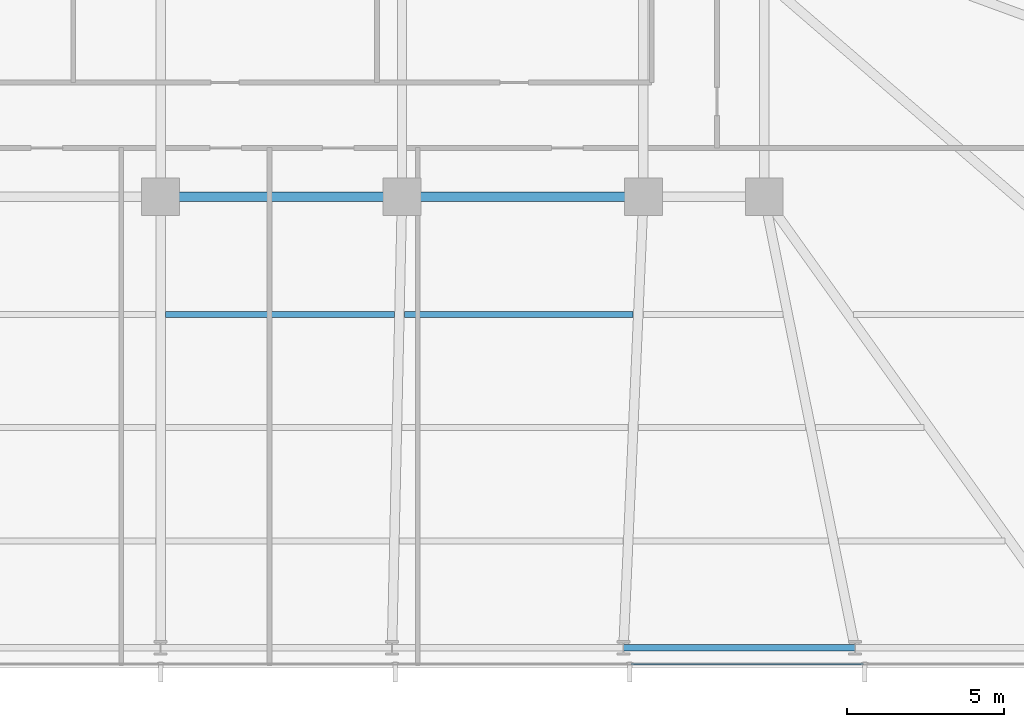
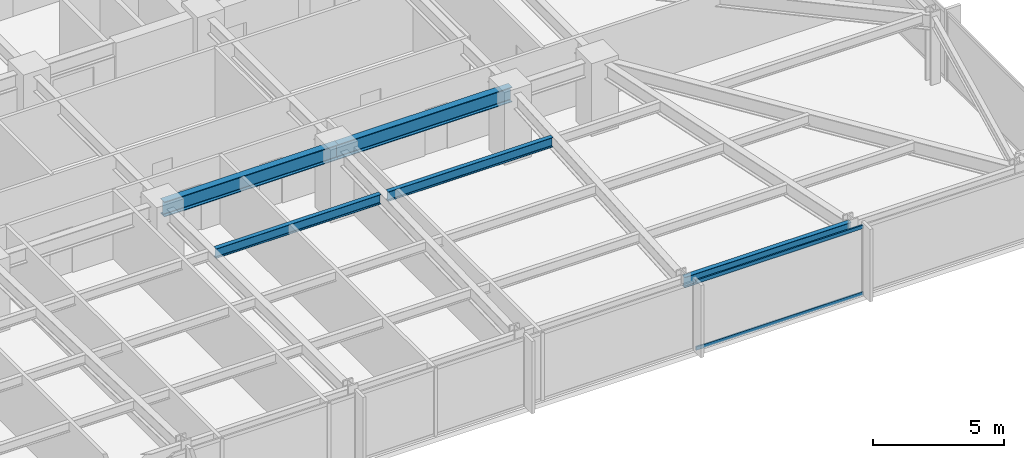
# One storey, part 13 of 32: 5 beams, 2 members, 1 element without a shape of its own.
"""IFC4 building model written with IfcOpenShell, lengths in metres."""

from ifc_helpers import new_model, si_unit, direction, frame, origin, origin_2d, place, context, subcontext, project, spatial, hollow_rectangle, i_section, extrude, material, material_profile, profile_set, type_object, element, aggregate, save


model = new_model("IFC4")

# Units and contexts
model_context = context("Model", 3, precision=1e-05, world=origin(), true_north=direction((0.0, 1.0)))
body_context = subcontext(model_context, "Body", "Model", "MODEL_VIEW")
ifc_project = project(units=[si_unit("LENGTHUNIT", "METRE"), si_unit("AREAUNIT", "SQUARE_METRE"), si_unit("VOLUMEUNIT", "CUBIC_METRE"), si_unit("PLANEANGLEUNIT", "RADIAN"), si_unit("MASSUNIT", "GRAM", prefix="KILO")], contexts=[model_context])

# Site, building, storey
site_placement = place(None, origin())
site = spatial("IfcSite", under=ifc_project, at=site_placement, CompositionType="ELEMENT")
building_placement = place(site_placement, origin())
building = spatial("IfcBuilding", under=site, at=building_placement, Name="Yelkora Congress Tower", CompositionType="ELEMENT")
storey_placement = place(building_placement, frame((0.0, 0.0, 57.60009765625)))
storey = spatial("IfcBuildingStorey", under=building, at=storey_placement, Name="L14", CompositionType="ELEMENT", Elevation=57.60009765625)

# Beams
ifc_material_1 = material(Name="Steel S355J2", Category="steel")
ifc_material_profile_1 = material_profile(ifc_material_1, i_section(OverallWidth=0.300048828125, OverallDepth=0.699951171875, WebThickness=0.01708984375, FlangeThickness=0.031982421875, FilletRadius=0.027099609375, at=origin_2d()), Name="HEB 700")
ifc_profile_set_1 = profile_set([ifc_material_profile_1], Name="Steel S355J2")
beam_type_1 = type_object("IfcBeamType", Name="BM-GIRD-HEB700", PredefinedType="BEAM", material=ifc_profile_set_1)
beam_1_placement = place(storey_placement, frame((38.39990234375, 25.199951171875, 2.829833984375), z_axis=(1.0, 0.0, 0.0), x_axis=(0.0, 1.0, 0.0)))
element("IfcBeam", 1, at=beam_1_placement, inside=storey, type_object=beam_type_1, Name="L14 Spine Grid D Girder 4", PredefinedType="BEAM", context=body_context, shape_type="SweptSolid", body=[
    extrude(i_section(OverallWidth=0.300048828125, OverallDepth=0.699951171875, WebThickness=0.01708984375, FlangeThickness=0.031982421875, FilletRadius=0.027099609375, at=origin_2d()), origin(), (0.0, 0.0, 1.0), 7.68017578125),
])
beam_2_placement = place(storey_placement, frame((46.080078125, 25.199951171875, 2.829833984375), z_axis=(1.0, 0.0, 0.0), x_axis=(0.0, 1.0, 0.0)))
element("IfcBeam", 2, at=beam_2_placement, inside=storey, type_object=beam_type_1, Name="L14 Spine Grid D Girder 5", PredefinedType="BEAM", context=body_context, shape_type="SweptSolid", body=[
    extrude(i_section(OverallWidth=0.300048828125, OverallDepth=0.699951171875, WebThickness=0.01708984375, FlangeThickness=0.031982421875, FilletRadius=0.027099609375, at=origin_2d()), origin(), (0.0, 0.0, 1.0), 7.679931640625),
])
ifc_material_profile_2 = material_profile(ifc_material_1, i_section(OverallWidth=0.18994140625, OverallDepth=0.449951171875, WebThickness=0.009521484375, FlangeThickness=0.0146484375, FilletRadius=0.02099609375, at=origin_2d()), Name="IPE 450")
ifc_profile_set_2 = profile_set([ifc_material_profile_2], Name="Steel S355J2")
beam_type_2 = type_object("IfcBeamType", Name="BM-JOIST-IPE450", PredefinedType="JOIST", material=ifc_profile_set_2)
beam_3_placement = place(storey_placement, frame((38.56005859375, 21.449951171875, 2.954833984375), z_axis=(1.0, 0.0, 0.0), x_axis=(0.0, 1.0, 0.0)))
element("IfcBeam", 3, at=beam_3_placement, inside=storey, type_object=beam_type_2, Name="L14 Composite Floor Joist 20", PredefinedType="JOIST", context=body_context, shape_type="SweptSolid", body=[
    extrude(i_section(OverallWidth=0.18994140625, OverallDepth=0.449951171875, WebThickness=0.009521484375, FlangeThickness=0.0146484375, FilletRadius=0.02099609375, at=origin_2d()), origin(), (0.0, 0.0, 1.0), 7.27685546875),
])
beam_4_placement = place(storey_placement, frame((46.156982421875, 21.449951171875, 2.954833984375), z_axis=(1.0, 0.0, 0.0), x_axis=(0.0, 1.0, 0.0)))
element("IfcBeam", 4, at=beam_4_placement, inside=storey, type_object=beam_type_2, Name="L14 Composite Floor Joist 21", PredefinedType="JOIST", context=body_context, shape_type="SweptSolid", body=[
    extrude(i_section(OverallWidth=0.18994140625, OverallDepth=0.449951171875, WebThickness=0.009521484375, FlangeThickness=0.0146484375, FilletRadius=0.02099609375, at=origin_2d()), origin(), (0.0, 0.0, 1.0), 7.277099609375),
])
ifc_material_profile_3 = material_profile(ifc_material_1, i_section(OverallWidth=0.199951171875, OverallDepth=0.5, WebThickness=0.01025390625, FlangeThickness=0.01611328125, FilletRadius=0.02099609375, at=origin_2d()), Name="IPE 500")
ifc_profile_set_3 = profile_set([ifc_material_profile_3], Name="Steel S355J2")
beam_type_3 = type_object("IfcBeamType", Name="BM-SPAN-IPE500", PredefinedType="SPANDREL", material=ifc_profile_set_3)
beam_5_placement = place(storey_placement, frame((53.125, 10.85009765625, 2.929931640625), z_axis=(1.0, 0.0, 0.0), x_axis=(0.0, 1.0, 0.0)))
element("IfcBeam", 5, at=beam_5_placement, inside=storey, type_object=beam_type_3, Name="L14 Perimeter Beam 8", PredefinedType="SPANDREL", context=body_context, shape_type="SweptSolid", body=[
    extrude(i_section(OverallWidth=0.199951171875, OverallDepth=0.5, WebThickness=0.01025390625, FlangeThickness=0.01611328125, FilletRadius=0.02099609375, at=origin_2d()), origin(), (0.0, 0.0, 1.0), 7.362548828125),
])

# Curtain wall, members
ifc_material_2 = material(Name="Anodised aluminium and insulated glass", Category="aluminium")
curtain_wall_type = type_object("IfcCurtainWallType", Name="CW-SYS-B1", PredefinedType="NOTDEFINED", material=ifc_material_2)
curtain_wall_placement = place(storey_placement, origin())
curtain_wall = element("IfcCurtainWall", 6, at=curtain_wall_placement, inside=storey, type_object=curtain_wall_type, Name="L14 Unitised Curtain Wall 20", PredefinedType="NOTDEFINED")
ifc_material_3 = material(Name="Anodised aluminium 6063-T6", Category="aluminium")
ifc_material_profile_4 = material_profile(ifc_material_3, hollow_rectangle(XDim=0.06494140625, YDim=0.159912109375, WallThickness=0.00390625, at=origin_2d()), Name="ALU 65x160x4")
ifc_profile_set_4 = profile_set([ifc_material_profile_4], Name="Anodised aluminium 6063-T6")
member_type = type_object("IfcMemberType", Name="MEM-TR-B1", PredefinedType="USERDEFINED", material=ifc_profile_set_4)
member_1_placement = place(storey_placement, frame((60.757568359375, 10.340087890625, 0.032470703125), z_axis=(-1.0, 0.0, 0.0), x_axis=(0.0, -1.0, 0.0)))
member_1 = element("IfcMember", 7, at=member_1_placement, type_object=member_type, Name="CW-B1 transom 2.1", ObjectType="TRANSOM", PredefinedType="USERDEFINED", context=body_context, shape_type="SweptSolid", body=[
    extrude(hollow_rectangle(XDim=0.06494140625, YDim=0.159912109375, WallThickness=0.00390625, at=origin_2d()), origin(), (0.0, 0.0, 1.0), 7.39013671875),
])
member_2_placement = place(storey_placement, frame((60.757568359375, 10.340087890625, 3.1474609375), z_axis=(-1.0, 0.0, 0.0), x_axis=(0.0, -1.0, 0.0)))
member_2 = element("IfcMember", 8, at=member_2_placement, type_object=member_type, Name="CW-B1 transom 2.2", ObjectType="TRANSOM", PredefinedType="USERDEFINED", context=body_context, shape_type="SweptSolid", body=[
    extrude(hollow_rectangle(XDim=0.06494140625, YDim=0.159912109375, WallThickness=0.00390625, at=origin_2d()), origin(), (0.0, 0.0, 1.0), 7.39013671875),
])
aggregate(curtain_wall, [member_1, member_2])

save(model, "model.ifc")
